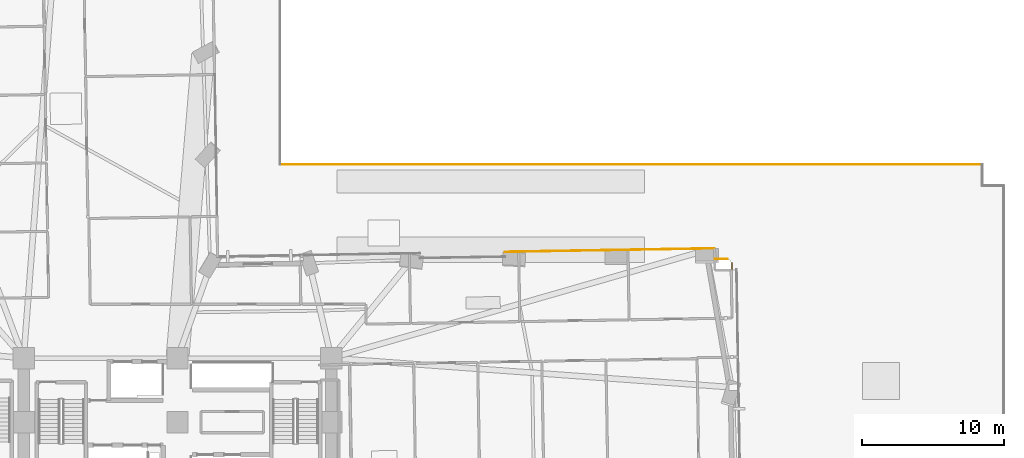
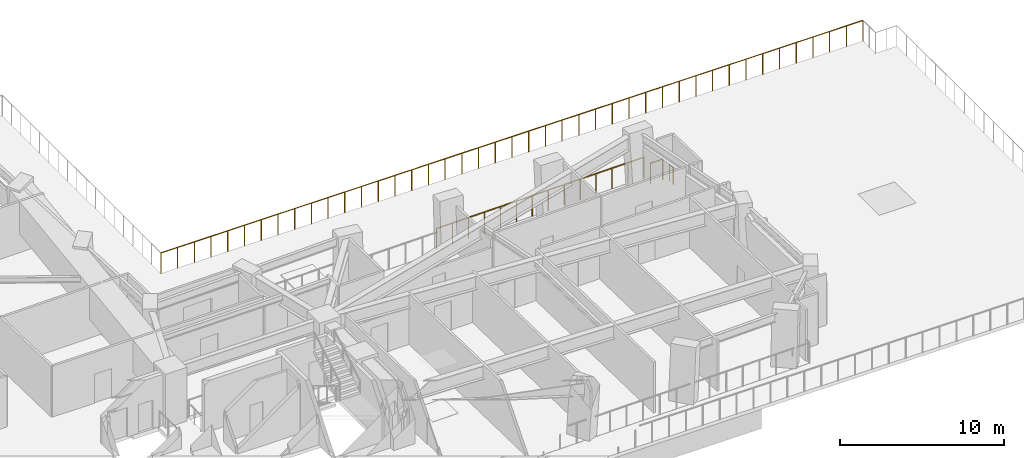
# One storey, part 15 of 17: 4 railings.
"""IFC4 building model written with IfcOpenShell, lengths in metres."""

from ifc_helpers import new_model, si_unit, direction, frame, origin, origin_2d, place, context, subcontext, project, spatial, circle, extrude, material, layer, layer_set, type_object, element, save


model = new_model("IFC4")

# Units and contexts
model_context = context("Model", 3, precision=1e-05, world=origin(), true_north=direction((0.0, 1.0)))
body_context = subcontext(model_context, "Body", "Model", "MODEL_VIEW")
ifc_project = project(units=[si_unit("LENGTHUNIT", "METRE"), si_unit("AREAUNIT", "SQUARE_METRE"), si_unit("VOLUMEUNIT", "CUBIC_METRE"), si_unit("PLANEANGLEUNIT", "RADIAN"), si_unit("MASSUNIT", "GRAM", prefix="KILO")], contexts=[model_context])

# Site, building, storey
site_placement = place(None, origin())
site = spatial("IfcSite", under=ifc_project, at=site_placement, CompositionType="ELEMENT")
building_placement = place(site_placement, origin())
building = spatial("IfcBuilding", under=site, at=building_placement, Name="Gaonmaruhae Medical Tower", CompositionType="ELEMENT")
storey_placement = place(building_placement, frame((0.0, 0.0, 27.0)))
storey = spatial("IfcBuildingStorey", under=building, at=storey_placement, Name="L05", CompositionType="ELEMENT", Elevation=27.0)

# Railings
ifc_material = material(Name="Stainless steel 316L and laminated safety glass", Category="steel")
ifc_layer_1 = layer(ifc_material, 0.080078125)
ifc_layer_set_1 = layer_set([ifc_layer_1], Name="Stainless steel 316L and laminated safety glass")
railing_type_1 = type_object("IfcRailingType", Name="GD-120 Outdoor Terrace Safety Glass & Steel Balustrade", PredefinedType="BALUSTRADE", material=ifc_layer_set_1)
railing_1_placement = place(storey_placement, frame((63.719970703125, 23.0380859375, 0.0)))
element("IfcRailing", 1, at=railing_1_placement, inside=storey, type_object=railing_type_1, Name="L05 Perimeter Slab Edge Safety Balustrade 01", PredefinedType="BALUSTRADE", context=body_context, shape_type="SweptSolid", body=[
    extrude(circle(Radius=0.02392578125, at=origin_2d()), frame((0.0, 0.0, 1.17578125), z_axis=(0.0, 1.0, 0.0), x_axis=(-1.0, 0.0, 0.0)), (0.0, 0.0, 1.0), 0.44189453125),
    extrude(circle(Radius=0.02099609375, at=origin_2d()), origin(), (0.0, 0.0, 1.0), 1.15185546875),
    extrude(circle(Radius=0.02099609375, at=origin_2d()), frame((0.0, 0.44189453125, 0.0)), (0.0, 0.0, 1.0), 1.15185546875),
])
ifc_layer_2 = layer(ifc_material, 0.080078125)
ifc_layer_set_2 = layer_set([ifc_layer_2], Name="Stainless steel 316L and laminated safety glass")
railing_type_2 = type_object("IfcRailingType", Name="GD-155 Planter-Edge Raised Safety Balustrade", PredefinedType="BALUSTRADE", material=ifc_layer_set_2)
railing_2_placement = place(storey_placement, frame((32.0, 30.39990234375, 0.0)))
element("IfcRailing", 2, at=railing_2_placement, inside=storey, type_object=railing_type_2, Name="L05 Terrace Safety Guard RL-SLB-L05-PODROOF1-13", PredefinedType="BALUSTRADE", context=body_context, shape_type="SweptSolid", body=[
    extrude(circle(Radius=0.02392578125, at=origin_2d()), frame((0.0, 0.0, 1.52587890625), z_axis=(1.0, 0.0, 0.0), x_axis=(0.0, 1.0, 0.0)), (0.0, 0.0, 1.0), 49.300048828125),
    extrude(circle(Radius=0.02099609375, at=origin_2d()), origin(), (0.0, 0.0, 1.0), 1.501953125),
    extrude(circle(Radius=0.02099609375, at=origin_2d()), frame((1.173828125, 0.0, 0.0)), (0.0, 0.0, 1.0), 1.501953125),
    extrude(circle(Radius=0.02099609375, at=origin_2d()), frame((2.34765625, 0.0, 0.0)), (0.0, 0.0, 1.0), 1.501953125),
    extrude(circle(Radius=0.02099609375, at=origin_2d()), frame((3.521484375, 0.0, 0.0)), (0.0, 0.0, 1.0), 1.501953125),
    extrude(circle(Radius=0.02099609375, at=origin_2d()), frame((4.6953125, 0.0, 0.0)), (0.0, 0.0, 1.0), 1.501953125),
    extrude(circle(Radius=0.02099609375, at=origin_2d()), frame((5.869140625, 0.0, 0.0)), (0.0, 0.0, 1.0), 1.501953125),
    extrude(circle(Radius=0.02099609375, at=origin_2d()), frame((7.04296875, 0.0, 0.0)), (0.0, 0.0, 1.0), 1.501953125),
    extrude(circle(Radius=0.02099609375, at=origin_2d()), frame((8.216796875, 0.0, 0.0)), (0.0, 0.0, 1.0), 1.501953125),
    extrude(circle(Radius=0.02099609375, at=origin_2d()), frame((9.390380859375, 0.0, 0.0)), (0.0, 0.0, 1.0), 1.501953125),
    extrude(circle(Radius=0.02099609375, at=origin_2d()), frame((10.564208984375, 0.0, 0.0)), (0.0, 0.0, 1.0), 1.501953125),
    extrude(circle(Radius=0.02099609375, at=origin_2d()), frame((11.738037109375, 0.0, 0.0)), (0.0, 0.0, 1.0), 1.501953125),
    extrude(circle(Radius=0.02099609375, at=origin_2d()), frame((12.911865234375, 0.0, 0.0)), (0.0, 0.0, 1.0), 1.501953125),
    extrude(circle(Radius=0.02099609375, at=origin_2d()), frame((14.085693359375, 0.0, 0.0)), (0.0, 0.0, 1.0), 1.501953125),
    extrude(circle(Radius=0.02099609375, at=origin_2d()), frame((15.259521484375, 0.0, 0.0)), (0.0, 0.0, 1.0), 1.501953125),
    extrude(circle(Radius=0.02099609375, at=origin_2d()), frame((16.433349609375, 0.0, 0.0)), (0.0, 0.0, 1.0), 1.501953125),
    extrude(circle(Radius=0.02099609375, at=origin_2d()), frame((17.607177734375, 0.0, 0.0)), (0.0, 0.0, 1.0), 1.501953125),
    extrude(circle(Radius=0.02099609375, at=origin_2d()), frame((18.781005859375, 0.0, 0.0)), (0.0, 0.0, 1.0), 1.501953125),
    extrude(circle(Radius=0.02099609375, at=origin_2d()), frame((19.954833984375, 0.0, 0.0)), (0.0, 0.0, 1.0), 1.501953125),
    extrude(circle(Radius=0.02099609375, at=origin_2d()), frame((21.128662109375, 0.0, 0.0)), (0.0, 0.0, 1.0), 1.501953125),
    extrude(circle(Radius=0.02099609375, at=origin_2d()), frame((22.302490234375, 0.0, 0.0)), (0.0, 0.0, 1.0), 1.501953125),
    extrude(circle(Radius=0.02099609375, at=origin_2d()), frame((23.476318359375, 0.0, 0.0)), (0.0, 0.0, 1.0), 1.501953125),
    extrude(circle(Radius=0.02099609375, at=origin_2d()), frame((24.64990234375, 0.0, 0.0)), (0.0, 0.0, 1.0), 1.501953125),
    extrude(circle(Radius=0.02099609375, at=origin_2d()), frame((25.82373046875, 0.0, 0.0)), (0.0, 0.0, 1.0), 1.501953125),
    extrude(circle(Radius=0.02099609375, at=origin_2d()), frame((26.99755859375, 0.0, 0.0)), (0.0, 0.0, 1.0), 1.501953125),
    extrude(circle(Radius=0.02099609375, at=origin_2d()), frame((28.17138671875, 0.0, 0.0)), (0.0, 0.0, 1.0), 1.501953125),
    extrude(circle(Radius=0.02099609375, at=origin_2d()), frame((29.34521484375, 0.0, 0.0)), (0.0, 0.0, 1.0), 1.501953125),
    extrude(circle(Radius=0.02099609375, at=origin_2d()), frame((30.51904296875, 0.0, 0.0)), (0.0, 0.0, 1.0), 1.501953125),
    extrude(circle(Radius=0.02099609375, at=origin_2d()), frame((31.69287109375, 0.0, 0.0)), (0.0, 0.0, 1.0), 1.501953125),
    extrude(circle(Radius=0.02099609375, at=origin_2d()), frame((32.86669921875, 0.0, 0.0)), (0.0, 0.0, 1.0), 1.501953125),
    extrude(circle(Radius=0.02099609375, at=origin_2d()), frame((34.04052734375, 0.0, 0.0)), (0.0, 0.0, 1.0), 1.501953125),
    extrude(circle(Radius=0.02099609375, at=origin_2d()), frame((35.21435546875, 0.0, 0.0)), (0.0, 0.0, 1.0), 1.501953125),
    extrude(circle(Radius=0.02099609375, at=origin_2d()), frame((36.38818359375, 0.0, 0.0)), (0.0, 0.0, 1.0), 1.501953125),
    extrude(circle(Radius=0.02099609375, at=origin_2d()), frame((37.56201171875, 0.0, 0.0)), (0.0, 0.0, 1.0), 1.501953125),
    extrude(circle(Radius=0.02099609375, at=origin_2d()), frame((38.73583984375, 0.0, 0.0)), (0.0, 0.0, 1.0), 1.501953125),
    extrude(circle(Radius=0.02099609375, at=origin_2d()), frame((39.90966796875, 0.0, 0.0)), (0.0, 0.0, 1.0), 1.501953125),
    extrude(circle(Radius=0.02099609375, at=origin_2d()), frame((41.08349609375, 0.0, 0.0)), (0.0, 0.0, 1.0), 1.501953125),
    extrude(circle(Radius=0.02099609375, at=origin_2d()), frame((42.257080078125, 0.0, 0.0)), (0.0, 0.0, 1.0), 1.501953125),
    extrude(circle(Radius=0.02099609375, at=origin_2d()), frame((43.430908203125, 0.0, 0.0)), (0.0, 0.0, 1.0), 1.501953125),
    extrude(circle(Radius=0.02099609375, at=origin_2d()), frame((44.604736328125, 0.0, 0.0)), (0.0, 0.0, 1.0), 1.501953125),
    extrude(circle(Radius=0.02099609375, at=origin_2d()), frame((45.778564453125, 0.0, 0.0)), (0.0, 0.0, 1.0), 1.501953125),
    extrude(circle(Radius=0.02099609375, at=origin_2d()), frame((46.952392578125, 0.0, 0.0)), (0.0, 0.0, 1.0), 1.501953125),
    extrude(circle(Radius=0.02099609375, at=origin_2d()), frame((48.126220703125, 0.0, 0.0)), (0.0, 0.0, 1.0), 1.501953125),
    extrude(circle(Radius=0.02099609375, at=origin_2d()), frame((49.300048828125, 0.0, 0.0)), (0.0, 0.0, 1.0), 1.501953125),
])
railing_3_placement = place(storey_placement, frame((63.39990234375, 23.75, 0.0)))
element("IfcRailing", 3, at=railing_3_placement, inside=storey, type_object=railing_type_2, Name="L05 Terrace Safety Guard RL-SLB-L05-PODROOF1-113", PredefinedType="BALUSTRADE", context=body_context, shape_type="SweptSolid", body=[
    extrude(circle(Radius=0.02392578125, at=origin_2d()), frame((0.0, 0.0, 1.52587890625), z_axis=(-1.0, 0.0, 0.0), x_axis=(0.0, -1.0, 0.0)), (0.0, 0.0, 1.0), 0.8583984375),
    extrude(circle(Radius=0.02099609375, at=origin_2d()), origin(), (0.0, 0.0, 1.0), 1.501953125),
    extrude(circle(Radius=0.02099609375, at=origin_2d()), frame((-0.8583984375, 0.0, 0.0)), (0.0, 0.0, 1.0), 1.501953125),
])
railing_4_placement = place(storey_placement, frame((62.509033203125, 24.499267578125, 0.0)))
element("IfcRailing", 4, at=railing_4_placement, inside=storey, type_object=railing_type_2, Name="L05 Terrace Safety Guard RL-SLB-L05-PODROOF1-131", PredefinedType="BALUSTRADE", context=body_context, shape_type="SweptSolid", body=[
    extrude(circle(Radius=0.02392578125, at=origin_2d()), frame((0.0, 0.0, 1.52587890625), z_axis=(-0.999862625754, -0.016574969694, 0.0), x_axis=(0.016574969694, -0.999862625754, 0.0)), (0.0, 0.0, 1.0), 14.699951171875),
    extrude(circle(Radius=0.02099609375, at=origin_2d()), origin(), (0.0, 0.0, 1.0), 1.501953125),
    extrude(circle(Radius=0.02099609375, at=origin_2d()), frame((-1.130615234375, -0.018798828125, 0.0)), (0.0, 0.0, 1.0), 1.501953125),
    extrude(circle(Radius=0.02099609375, at=origin_2d()), frame((-2.26123046875, -0.03759765625, 0.0)), (0.0, 0.0, 1.0), 1.501953125),
    extrude(circle(Radius=0.02099609375, at=origin_2d()), frame((-3.391845703125, -0.05615234375, 0.0)), (0.0, 0.0, 1.0), 1.501953125),
    extrude(circle(Radius=0.02099609375, at=origin_2d()), frame((-4.5224609375, -0.074951171875, 0.0)), (0.0, 0.0, 1.0), 1.501953125),
    extrude(circle(Radius=0.02099609375, at=origin_2d()), frame((-5.653076171875, -0.09375, 0.0)), (0.0, 0.0, 1.0), 1.501953125),
    extrude(circle(Radius=0.02099609375, at=origin_2d()), frame((-6.78369140625, -0.112548828125, 0.0)), (0.0, 0.0, 1.0), 1.501953125),
    extrude(circle(Radius=0.02099609375, at=origin_2d()), frame((-7.914306640625, -0.131103515625, 0.0)), (0.0, 0.0, 1.0), 1.501953125),
    extrude(circle(Radius=0.02099609375, at=origin_2d()), frame((-9.044921875, -0.14990234375, 0.0)), (0.0, 0.0, 1.0), 1.501953125),
    extrude(circle(Radius=0.02099609375, at=origin_2d()), frame((-10.175537109375, -0.168701171875, 0.0)), (0.0, 0.0, 1.0), 1.501953125),
    extrude(circle(Radius=0.02099609375, at=origin_2d()), frame((-11.30615234375, -0.1875, 0.0)), (0.0, 0.0, 1.0), 1.501953125),
    extrude(circle(Radius=0.02099609375, at=origin_2d()), frame((-12.436767578125, -0.2060546875, 0.0)), (0.0, 0.0, 1.0), 1.501953125),
    extrude(circle(Radius=0.02099609375, at=origin_2d()), frame((-13.5673828125, -0.224853515625, 0.0)), (0.0, 0.0, 1.0), 1.501953125),
    extrude(circle(Radius=0.02099609375, at=origin_2d()), frame((-14.697998046875, -0.24365234375, 0.0)), (0.0, 0.0, 1.0), 1.501953125),
])

save(model, "model.ifc")
